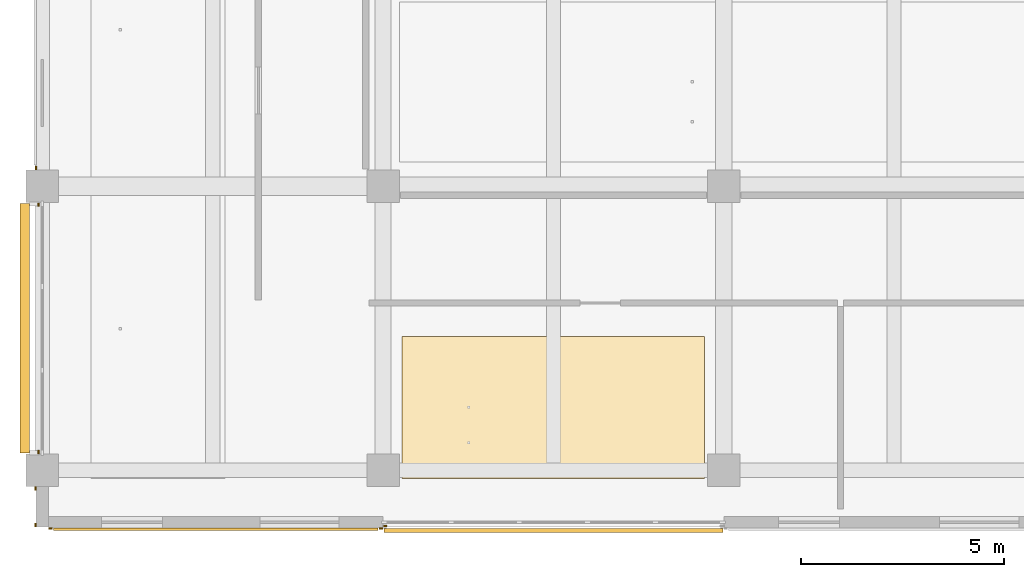
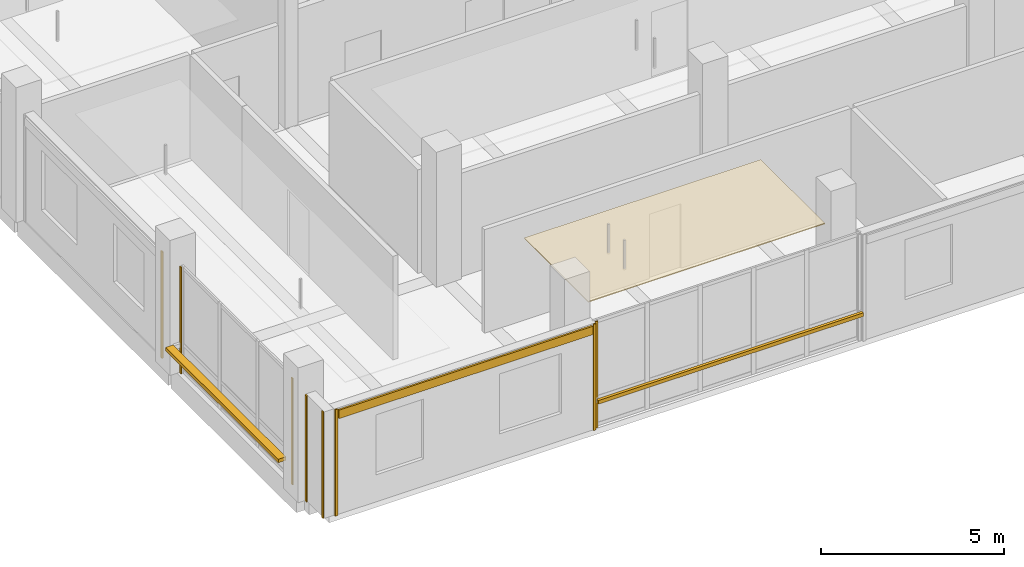
# One storey, part 22 of 34: 10 coverings, 2 shading devices.
"""IFC4 building model written with IfcOpenShell, lengths in metres."""

from ifc_helpers import new_model, si_unit, direction, frame, origin, origin_2d, place, context, subcontext, project, spatial, polyline, rectangle, outline, extrude, material, layer, layer_set, type_object, element, save


model = new_model("IFC4")

# Units and contexts
model_context = context("Model", 3, precision=1e-05, world=origin(), true_north=direction((0.0, 1.0)))
body_context = subcontext(model_context, "Body", "Model", "MODEL_VIEW")
ifc_project = project(units=[si_unit("LENGTHUNIT", "METRE"), si_unit("AREAUNIT", "SQUARE_METRE"), si_unit("VOLUMEUNIT", "CUBIC_METRE"), si_unit("PLANEANGLEUNIT", "RADIAN"), si_unit("MASSUNIT", "GRAM", prefix="KILO")], contexts=[model_context])

# Site, building, storey
site_placement = place(None, origin())
site = spatial("IfcSite", under=ifc_project, at=site_placement, CompositionType="ELEMENT")
building_placement = place(site_placement, origin())
building = spatial("IfcBuilding", under=site, at=building_placement, Name="Telukmera Botanical Conservatory", CompositionType="ELEMENT")
storey_placement = place(building_placement, frame((0.0, 0.0, 37.5)))
storey = spatial("IfcBuildingStorey", under=building, at=storey_placement, Name="L08", CompositionType="ELEMENT", Elevation=37.5)

# Coverings
ifc_material_1 = material(Name="Mineral fibre acoustic ceiling")
ifc_layer_1 = layer(ifc_material_1, 0.030029296875)
ifc_layer_set_1 = layer_set([ifc_layer_1], Name="Mineral fibre acoustic ceiling")
covering_type_1 = type_object("IfcCoveringType", Name="COV-CEIL-30", PredefinedType="CEILING", material=ifc_layer_set_1)
covering_1_placement = place(storey_placement, frame((0.0, 0.0, 3.320068359375)))
element("IfcCovering", 1, at=covering_1_placement, inside=storey, type_object=covering_type_1, Name="L08 Laboratory Write-Up Studio Suspended Acoustic Ceiling", PredefinedType="CEILING", context=body_context, shape_type="SweptSolid", body=[
    extrude(outline(polyline([(59.27001953125, 10.39990234375), (66.72998046875, 10.39990234375), (66.72998046875, 13.89990234375), (59.27001953125, 13.89990234375), (59.27001953125, 10.39990234375)])), origin(), (0.0, 0.0, 1.0), 0.030029296875),
])
ifc_material_2 = material(Name="Granite-faced precast concrete C40/50", Category="masonry")
ifc_layer_2 = layer(ifc_material_2, 0.0400390625)
ifc_layer_set_2 = layer_set([ifc_layer_2], Name="Granite-faced precast concrete C40/50")
covering_type_2 = type_object("IfcCoveringType", Name="Granite Precast Column Pier Reveal Casing", PredefinedType="CLADDING", material=ifc_layer_set_2)
for number, where, z_axis, x_axis, name in (
    (2, (50.22998046875, 9.25, 0.0), (0.0, 0.0, 1.0), (0.0, 1.0, 0.0), "Granite Pier Reveal V4:L08:SWC L"),
    (3, (50.22998046875, 10.14794921875, 0.0), (0.0, 0.0, 1.0), (0.0, 1.0, 0.0), "Granite Pier Reveal V4:L08:SWC R"),
    (4, (50.60205078125, 9.159912109375, 0.0), (0.0, 0.0, 1.0), (1.0, 0.0, 0.0), "Granite Pier Reveal V4:L08:S1 L"),
    (5, (58.748046875, 9.159912109375, 0.0), (0.0, 0.0, 1.0), (1.0, 0.0, 0.0), "Granite Pier Reveal V4:L08:S1 R"),
    (6, (58.85205078125, 9.22998046875, 0.0), (0.0, 0.0, 1.0), (1.0, 0.0, 0.0), "Granite Pier Reveal V4:L08:S2 L"),
    (7, (50.31005859375, 11.052001953125, 0.0), (0.0, 0.0, 1.0), (0.0, 1.0, 0.0), "Granite Pier Reveal V4:L08:W1 L"),
    (8, (50.31005859375, 17.14794921875, 0.0), (0.0, 0.0, 1.0), (0.0, 1.0, 0.0), "Granite Pier Reveal V4:L08:W1 R"),
    (9, (50.239990234375, 18.052001953125, 0.0), (0.0, 0.0, 1.0), (0.0, 1.0, 0.0), "Granite Pier Reveal V4:L08:W2 L"),
):
    element("IfcCovering", number, at=place(storey_placement, frame(where, z_axis=z_axis, x_axis=x_axis)), inside=storey, type_object=covering_type_2, Name=name, PredefinedType="CLADDING", context=body_context, shape_type="SweptSolid", body=[
        extrude(rectangle(XDim=0.080078125, YDim=0.0400390625, at=origin_2d()), origin(), (0.0, 0.0, 1.0), 3.550048828125),
    ])

# Shading devices
ifc_material_3 = material(Name="Perforated terracotta-anodised aluminium 6063-T6", Category="masonry")
ifc_layer_3 = layer(ifc_material_3, 0.044921875)
ifc_layer_set_3 = layer_set([ifc_layer_3], Name="Perforated terracotta-anodised aluminium 6063-T6")
shading_device_type = type_object("IfcShadingDeviceType", Name="Perforated Terracotta Aluminium Monsoon Brise Soleil", PredefinedType="JALOUSIE", material=ifc_layer_set_3)
shading_device_1_placement = place(storey_placement, frame((63.0, 9.114990234375, 0.889892578125), z_axis=(0.0, 0.0, 1.0), x_axis=(1.0, 0.0, 0.0)))
element("IfcShadingDevice", 10, at=shading_device_1_placement, inside=storey, type_object=shading_device_type, Name="Monsoon Shading BS01 V4:L08:S2", PredefinedType="JALOUSIE", context=body_context, shape_type="SweptSolid", body=[
    extrude(rectangle(XDim=8.35595703125, YDim=0.090087890625, at=origin_2d()), origin(), (0.0, 0.0, 1.0), 0.1201171875),
])
shading_device_2_placement = place(storey_placement, frame((49.969970703125, 14.10009765625, 0.889892578125), z_axis=(0.0, 0.0, 1.0), x_axis=(0.0, 1.0, 0.0)))
element("IfcShadingDevice", 11, at=shading_device_2_placement, inside=storey, type_object=shading_device_type, Name="Monsoon Shading BS01 V4:L08:W1", PredefinedType="JALOUSIE", context=body_context, shape_type="SweptSolid", body=[
    extrude(rectangle(XDim=6.156005859375, YDim=0.239990234375, at=origin_2d()), origin(), (0.0, 0.0, 1.0), 0.1201171875),
])

# Covering
ifc_material_4 = material(Name="Terracotta-faced precast concrete C40/50", Category="masonry")
ifc_layer_4 = layer(ifc_material_4, 0.06005859375)
ifc_layer_set_4 = layer_set([ifc_layer_4], Name="Terracotta-faced precast concrete C40/50")
covering_type_3 = type_object("IfcCoveringType", Name="Polychrome Terracotta Facade Band Cladding", PredefinedType="CLADDING", material=ifc_layer_set_4)
covering_2_placement = place(storey_placement, frame((54.675048828125, 9.14990234375, 3.22998046875), z_axis=(0.0, 0.0, 1.0), x_axis=(1.0, 0.0, 0.0)))
element("IfcCovering", 12, at=covering_2_placement, inside=storey, type_object=covering_type_3, Name="Polychrome Terracotta Band V4:L08:S1", PredefinedType="CLADDING", context=body_context, shape_type="SweptSolid", body=[
    extrude(rectangle(XDim=8.006103515625, YDim=0.06005859375, at=origin_2d()), origin(), (0.0, 0.0, 1.0), 0.280029296875),
])

save(model, "model.ifc")
